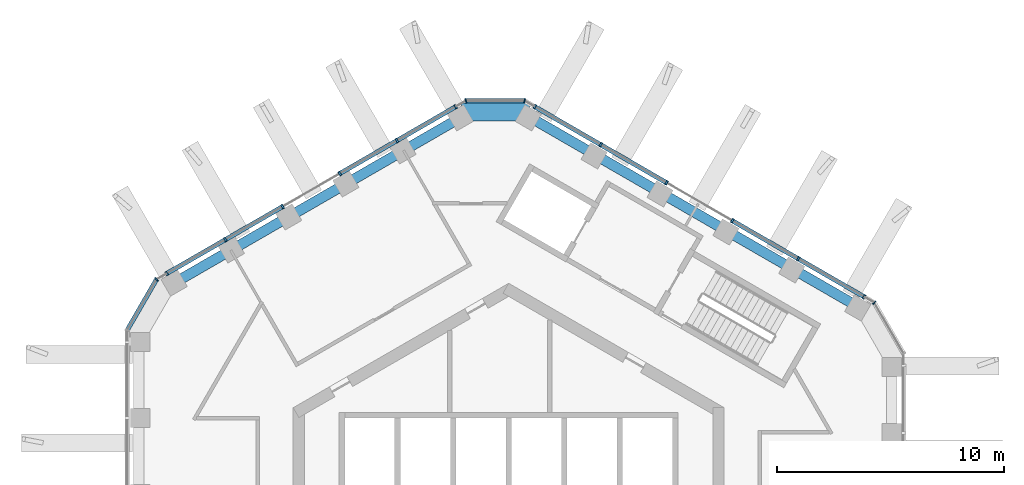
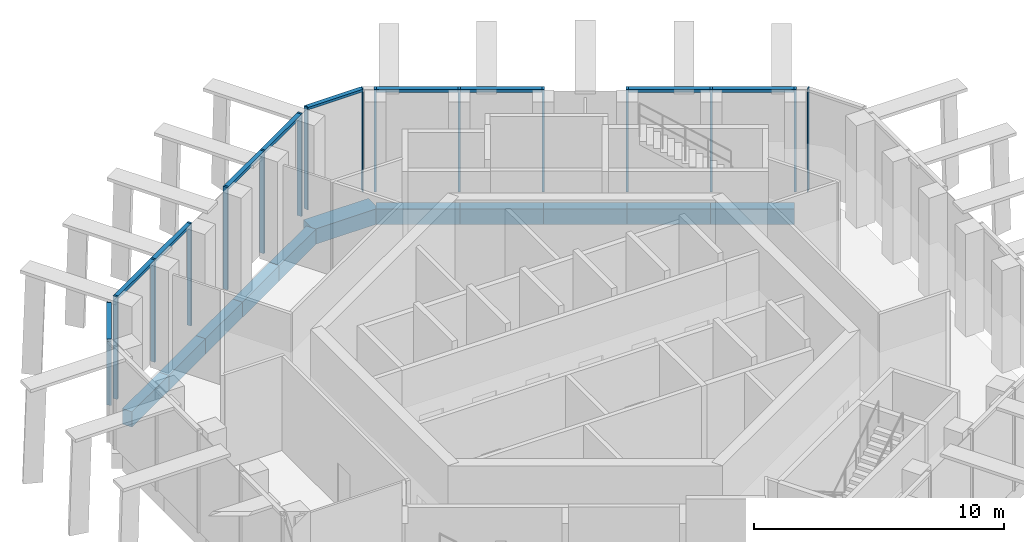
# One storey, part 5 of 17: 22 members, 11 beams, 5 elements without a shape of their own.
"""IFC4 building model written with IfcOpenShell, lengths in metres."""

from ifc_helpers import new_model, si_unit, direction, frame, origin, origin_2d, place, context, subcontext, project, spatial, rectangle, extrude, material, layer, layer_set, material_profile, profile_set, type_object, element, aggregate, save


model = new_model("IFC4")

# Units and contexts
model_context = context("Model", 3, precision=1e-05, world=origin(), true_north=direction((0.0, 1.0)))
body_context = subcontext(model_context, "Body", "Model", "MODEL_VIEW")
ifc_project = project(units=[si_unit("LENGTHUNIT", "METRE"), si_unit("AREAUNIT", "SQUARE_METRE"), si_unit("VOLUMEUNIT", "CUBIC_METRE"), si_unit("PLANEANGLEUNIT", "RADIAN"), si_unit("MASSUNIT", "GRAM", prefix="KILO")], contexts=[model_context])

# Site, building, storey
site_placement = place(None, origin())
site = spatial("IfcSite", under=ifc_project, at=site_placement, CompositionType="ELEMENT")
building_placement = place(site_placement, origin())
building = spatial("IfcBuilding", under=site, at=building_placement, Name="Ayvan Gate Tower", CompositionType="ELEMENT")
storey_placement = place(building_placement, frame((0.0, 0.0, 252.89990234375)))
storey = spatial("IfcBuildingStorey", under=building, at=storey_placement, Name="L68", CompositionType="ELEMENT", Elevation=252.89990234375)

# Beams
ifc_material_1 = material(Name="Concrete C40/50", Category="concrete")
ifc_material_profile_1 = material_profile(ifc_material_1, rectangle(XDim=0.800048828125, YDim=0.75, at=origin_2d()), Name="RC 800x750")
ifc_profile_set_1 = profile_set([ifc_material_profile_1], Name="Concrete C40/50")
beam_type_1 = type_object("IfcBeamType", Name="Corner spandrel beam RC 800x750 C40/50", PredefinedType="BEAM", material=ifc_profile_set_1)
beam_1_placement = place(storey_placement, frame((0.920166015625, 18.51904296875, -0.77490234375), z_axis=(-1.0, 0.0, 0.0), x_axis=(0.0, -1.0, 0.0)))
element("IfcBeam", 1, at=beam_1_placement, inside=storey, type_object=beam_type_1, Name="SB-L68-12", PredefinedType="BEAM", context=body_context, shape_type="SweptSolid", body=[
    extrude(rectangle(XDim=0.800048828125, YDim=0.75, at=origin_2d()), origin(), (0.0, 0.0, 1.0), 3.0),
])
ifc_material_profile_2 = material_profile(ifc_material_1, rectangle(XDim=0.449951171875, YDim=0.75, at=origin_2d()), Name="RC 450x750")
ifc_profile_set_2 = profile_set([ifc_material_profile_2], Name="Concrete C40/50")
beam_type_2 = type_object("IfcBeamType", Name="Spandrel beam RC 450x750 C40/50", PredefinedType="BEAM", material=ifc_profile_set_2)
beam_2_placement = place(storey_placement, frame((15.387451171875, 9.9462890625, -0.77490234375), z_axis=(-0.866017664247, 0.500013405032, 0.0), x_axis=(-0.500013405032, -0.866017664247, 0.0)))
element("IfcBeam", 2, at=beam_2_placement, inside=storey, type_object=beam_type_2, Name="SB-L68-7", PredefinedType="BEAM", context=body_context, shape_type="SweptSolid", body=[
    extrude(rectangle(XDim=0.449951171875, YDim=0.75, at=origin_2d()), origin(), (0.0, 0.0, 1.0), 3.34130859375),
])
beam_3_placement = place(storey_placement, frame((12.493896484375, 11.616943359375, -0.77490234375), z_axis=(-0.866031037473, 0.499990242038, 0.0), x_axis=(-0.499990242038, -0.866031037473, 0.0)))
element("IfcBeam", 3, at=beam_3_placement, inside=storey, type_object=beam_type_2, Name="SB-L68-8", PredefinedType="BEAM", context=body_context, shape_type="SweptSolid", body=[
    extrude(rectangle(XDim=0.449951171875, YDim=0.75, at=origin_2d()), origin(), (0.0, 0.0, 1.0), 3.3408203125),
])
for number, where, z_axis, x_axis, name in (
    (4, (9.6005859375, 13.287353515625, -0.77490234375), (-0.866017664247, 0.500013405032, 0.0), (-0.500013405032, -0.866017664247, 0.0), "SB-L68-9"),
    (5, (6.70703125, 14.9580078125, -0.77490234375), (-0.866017664247, 0.500013405032, 0.0), (-0.500013405032, -0.866017664247, 0.0), "SB-L68-10"),
):
    element("IfcBeam", number, at=place(storey_placement, frame(where, z_axis=z_axis, x_axis=x_axis)), inside=storey, type_object=beam_type_2, Name=name, PredefinedType="BEAM", context=body_context, shape_type="SweptSolid", body=[
        extrude(rectangle(XDim=0.449951171875, YDim=0.75, at=origin_2d()), origin(), (0.0, 0.0, 1.0), 3.34130859375),
    ])
beam_4_placement = place(storey_placement, frame((3.8134765625, 16.628662109375, -0.77490234375), z_axis=(-0.866031037473, 0.499990242038, 0.0), x_axis=(-0.499990242038, -0.866031037473, 0.0)))
element("IfcBeam", 6, at=beam_4_placement, inside=storey, type_object=beam_type_2, Name="SB-L68-11", PredefinedType="BEAM", context=body_context, shape_type="SweptSolid", body=[
    extrude(rectangle(XDim=0.449951171875, YDim=0.75, at=origin_2d()), origin(), (0.0, 0.0, 1.0), 3.3408203125),
])
beam_5_placement = place(storey_placement, frame((-2.079833984375, 18.299072265625, -0.77490234375), z_axis=(-0.866062491445, -0.499935756786, 0.0), x_axis=(0.499935756786, -0.866062491445, 0.0)))
element("IfcBeam", 7, at=beam_5_placement, inside=storey, type_object=beam_type_2, Name="SB-L68-13", PredefinedType="BEAM", context=body_context, shape_type="SweptSolid", body=[
    extrude(rectangle(XDim=0.449951171875, YDim=0.75, at=origin_2d()), origin(), (0.0, 0.0, 1.0), 2.939453125),
])
beam_6_placement = place(storey_placement, frame((-4.62548828125, 16.82958984375, -0.77490234375), z_axis=(-0.866005761797, -0.500034019377, 0.0), x_axis=(0.500034019377, -0.866005761797, 0.0)))
element("IfcBeam", 8, at=beam_6_placement, inside=storey, type_object=beam_type_2, Name="SB-L68-14", PredefinedType="BEAM", context=body_context, shape_type="SweptSolid", body=[
    extrude(rectangle(XDim=0.449951171875, YDim=0.75, at=origin_2d()), origin(), (0.0, 0.0, 1.0), 2.939208984375),
])
beam_7_placement = place(storey_placement, frame((-7.1708984375, 15.35986328125, -0.77490234375), z_axis=(-0.866026527915, -0.499998052944, 0.0), x_axis=(0.499998052944, -0.866026527915, 0.0)))
element("IfcBeam", 9, at=beam_7_placement, inside=storey, type_object=beam_type_2, Name="SB-L68-15", PredefinedType="BEAM", context=body_context, shape_type="SweptSolid", body=[
    extrude(rectangle(XDim=0.449951171875, YDim=0.75, at=origin_2d()), origin(), (0.0, 0.0, 1.0), 2.939453125),
])
beam_8_placement = place(storey_placement, frame((-9.716552734375, 13.89013671875, -0.77490234375), z_axis=(-0.866005761797, -0.500034019377, 0.0), x_axis=(0.500034019377, -0.866005761797, 0.0)))
element("IfcBeam", 10, at=beam_8_placement, inside=storey, type_object=beam_type_2, Name="SB-L68-16", PredefinedType="BEAM", context=body_context, shape_type="SweptSolid", body=[
    extrude(rectangle(XDim=0.449951171875, YDim=0.75, at=origin_2d()), origin(), (0.0, 0.0, 1.0), 2.939208984375),
])
beam_9_placement = place(storey_placement, frame((-12.261962890625, 12.42041015625, -0.77490234375), z_axis=(-0.866062491445, -0.499935756786, 0.0), x_axis=(0.499935756786, -0.866062491445, 0.0)))
element("IfcBeam", 11, at=beam_9_placement, inside=storey, type_object=beam_type_2, Name="SB-L68-17", PredefinedType="BEAM", context=body_context, shape_type="SweptSolid", body=[
    extrude(rectangle(XDim=0.449951171875, YDim=0.75, at=origin_2d()), origin(), (0.0, 0.0, 1.0), 2.939453125),
])

# Curtain wall, members
ifc_material_2 = material(Name="Bronze anodised aluminium", Category="aluminium")
ifc_layer_1 = layer(ifc_material_2, 0.199951171875)
ifc_layer_set_1 = layer_set([ifc_layer_1], Name="Bronze anodised aluminium")
curtain_wall_type_1 = type_object("IfcCurtainWallType", Name="Stick curtain wall CW-5", PredefinedType="NOTDEFINED", material=ifc_layer_set_1)
curtain_wall_1_placement = place(storey_placement, origin())
curtain_wall_1 = element("IfcCurtainWall", 12, at=curtain_wall_1_placement, inside=storey, type_object=curtain_wall_type_1, Name="Stick curtain wall CW-5 L68", PredefinedType="NOTDEFINED")
ifc_material_profile_3 = material_profile(ifc_material_2, rectangle(XDim=0.199951171875, YDim=0.090087890625, at=origin_2d()), Name="Stick curtain wall CW-5 mullion 200 x 90")
ifc_profile_set_3 = profile_set([ifc_material_profile_3], Name="Bronze anodised aluminium")
member_type_1 = type_object("IfcMemberType", Name="Stick curtain wall CW-5 mullion 200 x 90", PredefinedType="MULLION", material=ifc_profile_set_3)
member_1_placement = place(storey_placement, frame((-2.335205078125, 18.758056640625, 0.0), z_axis=(0.0, 0.0, 1.0), x_axis=(-0.5, 0.866025403784, 0.0)))
member_1 = element("IfcMember", 13, at=member_1_placement, type_object=member_type_1, Name="CW-5 mullion 1", PredefinedType="MULLION", context=body_context, shape_type="SweptSolid", body=[
    extrude(rectangle(XDim=0.199951171875, YDim=0.090087890625, at=origin_2d()), origin(), (0.0, 0.0, 1.0), 5.0),
])
member_2_placement = place(storey_placement, frame((-4.921875, 17.2646484375, 0.0), z_axis=(0.0, 0.0, 1.0), x_axis=(-0.5, 0.866025403784, 0.0)))
member_2 = element("IfcMember", 14, at=member_2_placement, type_object=member_type_1, Name="CW-5 mullion 2", PredefinedType="MULLION", context=body_context, shape_type="SweptSolid", body=[
    extrude(rectangle(XDim=0.199951171875, YDim=0.090087890625, at=origin_2d()), origin(), (0.0, 0.0, 1.0), 5.0),
])
member_3_placement = place(storey_placement, frame((-7.444580078125, 15.80810546875, 0.0), z_axis=(0.0, 0.0, 1.0), x_axis=(-0.5, 0.866025403784, 0.0)))
member_3 = element("IfcMember", 15, at=member_3_placement, type_object=member_type_1, Name="CW-5 mullion 3", PredefinedType="MULLION", context=body_context, shape_type="SweptSolid", body=[
    extrude(rectangle(XDim=0.199951171875, YDim=0.090087890625, at=origin_2d()), origin(), (0.0, 0.0, 1.0), 5.0),
])
member_4_placement = place(storey_placement, frame((-9.96728515625, 14.3515625, 0.0), z_axis=(0.0, 0.0, 1.0), x_axis=(-0.5, 0.866025403784, 0.0)))
member_4 = element("IfcMember", 16, at=member_4_placement, type_object=member_type_1, Name="CW-5 mullion 4", PredefinedType="MULLION", context=body_context, shape_type="SweptSolid", body=[
    extrude(rectangle(XDim=0.199951171875, YDim=0.090087890625, at=origin_2d()), origin(), (0.0, 0.0, 1.0), 5.0),
])
member_5_placement = place(storey_placement, frame((-12.489990234375, 12.89501953125, 0.0), z_axis=(0.0, 0.0, 1.0), x_axis=(-0.5, 0.866025403784, 0.0)))
member_5 = element("IfcMember", 17, at=member_5_placement, type_object=member_type_1, Name="CW-5 mullion 5", PredefinedType="MULLION", context=body_context, shape_type="SweptSolid", body=[
    extrude(rectangle(XDim=0.199951171875, YDim=0.090087890625, at=origin_2d()), origin(), (0.0, 0.0, 1.0), 5.0),
])
member_6_placement = place(storey_placement, frame((-15.077392578125, 11.4013671875, 0.0), z_axis=(0.0, 0.0, 1.0), x_axis=(-0.5, 0.866025403784, 0.0)))
member_6 = element("IfcMember", 18, at=member_6_placement, type_object=member_type_1, Name="CW-5 mullion 6", PredefinedType="MULLION", context=body_context, shape_type="SweptSolid", body=[
    extrude(rectangle(XDim=0.199951171875, YDim=0.090087890625, at=origin_2d()), origin(), (0.0, 0.0, 1.0), 5.0),
])

curtain_wall_2_placement = place(storey_placement, origin())
curtain_wall_2 = element("IfcCurtainWall", 19, at=curtain_wall_2_placement, inside=storey, type_object=curtain_wall_type_1, Name="Stick curtain wall CW-5 L68", PredefinedType="NOTDEFINED")
member_7_placement = place(storey_placement, frame((15.6708984375, 10.373291015625, 0.0), z_axis=(0.0, 0.0, 1.0), x_axis=(0.5, 0.866025403784, 0.0)))
member_7 = element("IfcMember", 20, at=member_7_placement, type_object=member_type_1, Name="CW-5 mullion 1", PredefinedType="MULLION", context=body_context, shape_type="SweptSolid", body=[
    extrude(rectangle(XDim=0.199951171875, YDim=0.090087890625, at=origin_2d()), origin(), (0.0, 0.0, 1.0), 5.0),
])
member_8_placement = place(storey_placement, frame((12.76708984375, 12.0498046875, 0.0), z_axis=(0.0, 0.0, 1.0), x_axis=(0.5, 0.866025403784, 0.0)))
member_8 = element("IfcMember", 21, at=member_8_placement, type_object=member_type_1, Name="CW-5 mullion 2", PredefinedType="MULLION", context=body_context, shape_type="SweptSolid", body=[
    extrude(rectangle(XDim=0.199951171875, YDim=0.090087890625, at=origin_2d()), origin(), (0.0, 0.0, 1.0), 5.0),
])
member_9_placement = place(storey_placement, frame((9.861572265625, 13.727294921875, 0.0), z_axis=(0.0, 0.0, 1.0), x_axis=(0.5, 0.866025403784, 0.0)))
member_9 = element("IfcMember", 22, at=member_9_placement, type_object=member_type_1, Name="CW-5 mullion 3", PredefinedType="MULLION", context=body_context, shape_type="SweptSolid", body=[
    extrude(rectangle(XDim=0.199951171875, YDim=0.090087890625, at=origin_2d()), origin(), (0.0, 0.0, 1.0), 5.0),
])
member_10_placement = place(storey_placement, frame((6.95703125, 15.404296875, 0.0), z_axis=(0.0, 0.0, 1.0), x_axis=(0.5, 0.866025403784, 0.0)))
member_10 = element("IfcMember", 23, at=member_10_placement, type_object=member_type_1, Name="CW-5 mullion 4", PredefinedType="MULLION", context=body_context, shape_type="SweptSolid", body=[
    extrude(rectangle(XDim=0.199951171875, YDim=0.090087890625, at=origin_2d()), origin(), (0.0, 0.0, 1.0), 5.0),
])
member_11_placement = place(storey_placement, frame((4.05224609375, 17.081298828125, 0.0), z_axis=(0.0, 0.0, 1.0), x_axis=(0.5, 0.866025403784, 0.0)))
member_11 = element("IfcMember", 24, at=member_11_placement, type_object=member_type_1, Name="CW-5 mullion 5", PredefinedType="MULLION", context=body_context, shape_type="SweptSolid", body=[
    extrude(rectangle(XDim=0.199951171875, YDim=0.090087890625, at=origin_2d()), origin(), (0.0, 0.0, 1.0), 5.0),
])
member_12_placement = place(storey_placement, frame((1.148193359375, 18.758056640625, 0.0), z_axis=(0.0, 0.0, 1.0), x_axis=(0.5, 0.866025403784, 0.0)))
member_12 = element("IfcMember", 25, at=member_12_placement, type_object=member_type_1, Name="CW-5 mullion 6", PredefinedType="MULLION", context=body_context, shape_type="SweptSolid", body=[
    extrude(rectangle(XDim=0.199951171875, YDim=0.090087890625, at=origin_2d()), origin(), (0.0, 0.0, 1.0), 5.0),
])

# Member
ifc_material_profile_4 = material_profile(ifc_material_2, rectangle(XDim=0.199951171875, YDim=0.14990234375, at=origin_2d()), Name="Stick curtain wall CW-5 transom 200 x 150")
ifc_profile_set_4 = profile_set([ifc_material_profile_4], Name="Bronze anodised aluminium")
member_type_2 = type_object("IfcMemberType", Name="Stick curtain wall CW-5 transom 200 x 150", PredefinedType="USERDEFINED", material=ifc_profile_set_4)
member_13_placement = place(storey_placement, frame((-2.335205078125, 18.758056640625, 4.925048828125), z_axis=(-0.866025182435, -0.500000383388, 0.0), x_axis=(0.500000383388, -0.866025182435, 0.0)))
member_13 = element("IfcMember", 26, at=member_13_placement, type_object=member_type_2, Name="CW-5 transom 1", ObjectType="TRANSOM", PredefinedType="USERDEFINED", context=body_context, shape_type="SweptSolid", body=[
    extrude(rectangle(XDim=0.199951171875, YDim=0.14990234375, at=origin_2d()), origin(), (0.0, 0.0, 1.0), 5.85498046875),
])

member_14_placement = place(storey_placement, frame((-10.00634765625, 14.3291015625, 4.925048828125), z_axis=(-0.866027975419, -0.499995545772, 0.0), x_axis=(0.499995545772, -0.866027975419, 0.0)))
member_14 = element("IfcMember", 27, at=member_14_placement, type_object=member_type_2, Name="CW-5 transom 2", ObjectType="TRANSOM", PredefinedType="USERDEFINED", context=body_context, shape_type="SweptSolid", body=[
    extrude(rectangle(XDim=0.199951171875, YDim=0.14990234375, at=origin_2d()), origin(), (0.0, 0.0, 1.0), 5.85546875),
])

aggregate(curtain_wall_1, [member_1, member_2, member_3, member_4, member_5, member_6, member_13, member_14])

member_15_placement = place(storey_placement, frame((15.6708984375, 10.373291015625, 4.925048828125), z_axis=(-0.866020225204, 0.500008969458, 0.0), x_axis=(-0.500008969458, -0.866020225204, 0.0)))
member_15 = element("IfcMember", 28, at=member_15_placement, type_object=member_type_2, Name="CW-5 transom 1", ObjectType="TRANSOM", PredefinedType="USERDEFINED", context=body_context, shape_type="SweptSolid", body=[
    extrude(rectangle(XDim=0.199951171875, YDim=0.14990234375, at=origin_2d()), origin(), (0.0, 0.0, 1.0), 6.6630859375),
])

member_16_placement = place(storey_placement, frame((6.91796875, 15.4267578125, 4.925048828125), z_axis=(-0.866017770014, 0.500013221844, 0.0), x_axis=(-0.500013221844, -0.866017770014, 0.0)))
member_16 = element("IfcMember", 29, at=member_16_placement, type_object=member_type_2, Name="CW-5 transom 2", ObjectType="TRANSOM", PredefinedType="USERDEFINED", context=body_context, shape_type="SweptSolid", body=[
    extrude(rectangle(XDim=0.199951171875, YDim=0.14990234375, at=origin_2d()), origin(), (0.0, 0.0, 1.0), 6.662353515625),
])

aggregate(curtain_wall_2, [member_7, member_8, member_9, member_10, member_11, member_12, member_15, member_16])

# Curtain wall, member
ifc_layer_2 = layer(ifc_material_2, 0.199951171875)
ifc_layer_set_2 = layer_set([ifc_layer_2], Name="Bronze anodised aluminium")
curtain_wall_type_2 = type_object("IfcCurtainWallType", Name="Stick curtain wall CW-6", PredefinedType="NOTDEFINED", material=ifc_layer_set_2)
curtain_wall_3_placement = place(storey_placement, origin())
curtain_wall_3 = element("IfcCurtainWall", 30, at=curtain_wall_3_placement, inside=storey, type_object=curtain_wall_type_2, Name="Stick curtain wall CW-6 L68", PredefinedType="NOTDEFINED")
ifc_material_profile_5 = material_profile(ifc_material_2, rectangle(XDim=0.199951171875, YDim=0.050048828125, at=origin_2d()), Name="Stick curtain wall CW-6 mullion 200 x 50")
ifc_profile_set_5 = profile_set([ifc_material_profile_5], Name="Bronze anodised aluminium")
member_type_3 = type_object("IfcMemberType", Name="Stick curtain wall CW-6 mullion 200 x 50", PredefinedType="MULLION", material=ifc_profile_set_5)
member_17_placement = place(storey_placement, frame((-15.52783203125, 11.141357421875, 0.0), z_axis=(0.0, 0.0, 1.0), x_axis=(-0.707106781187, 0.707106781187, 0.0)))
member_17 = element("IfcMember", 31, at=member_17_placement, type_object=member_type_3, Name="CW-6 mullion 2", PredefinedType="MULLION", context=body_context, shape_type="SweptSolid", body=[
    extrude(rectangle(XDim=0.199951171875, YDim=0.050048828125, at=origin_2d()), origin(), (0.0, 0.0, 1.0), 5.0),
])

curtain_wall_4_placement = place(storey_placement, origin())
curtain_wall_4 = element("IfcCurtainWall", 32, at=curtain_wall_4_placement, inside=storey, type_object=curtain_wall_type_2, Name="Stick curtain wall CW-6 L68", PredefinedType="NOTDEFINED")
member_18_placement = place(storey_placement, frame((16.12109375, 10.11328125, 0.0), z_axis=(0.0, 0.0, 1.0), x_axis=(0.707106781187, 0.707106781187, 0.0)))
member_18 = element("IfcMember", 33, at=member_18_placement, type_object=member_type_3, Name="CW-6 mullion 3", PredefinedType="MULLION", context=body_context, shape_type="SweptSolid", body=[
    extrude(rectangle(XDim=0.199951171875, YDim=0.050048828125, at=origin_2d()), origin(), (0.0, 0.0, 1.0), 5.0),
])
aggregate(curtain_wall_4, [member_18])

# Curtain wall, members
curtain_wall_5_placement = place(storey_placement, origin())
curtain_wall_5 = element("IfcCurtainWall", 34, at=curtain_wall_5_placement, inside=storey, type_object=curtain_wall_type_2, Name="Stick curtain wall CW-6 L68", PredefinedType="NOTDEFINED")
member_19_placement = place(storey_placement, frame((0.69775390625, 19.01806640625, 0.0), z_axis=(0.0, 0.0, 1.0), x_axis=(0.258819045103, 0.965925826289, 0.0)))
member_19 = element("IfcMember", 35, at=member_19_placement, type_object=member_type_3, Name="CW-6 mullion 2", PredefinedType="MULLION", context=body_context, shape_type="SweptSolid", body=[
    extrude(rectangle(XDim=0.199951171875, YDim=0.050048828125, at=origin_2d()), origin(), (0.0, 0.0, 1.0), 5.0),
])
member_20_placement = place(storey_placement, frame((-1.884765625, 19.01806640625, 0.0), z_axis=(0.0, 0.0, 1.0), x_axis=(-0.258819045103, 0.965925826289, 0.0)))
member_20 = element("IfcMember", 36, at=member_20_placement, type_object=member_type_3, Name="CW-6 mullion 3", PredefinedType="MULLION", context=body_context, shape_type="SweptSolid", body=[
    extrude(rectangle(XDim=0.199951171875, YDim=0.050048828125, at=origin_2d()), origin(), (0.0, 0.0, 1.0), 5.0),
])

# Member
ifc_material_profile_6 = material_profile(ifc_material_2, rectangle(XDim=0.199951171875, YDim=0.1201171875, at=origin_2d()), Name="Stick curtain wall CW-6 transom 200 x 120")
ifc_profile_set_6 = profile_set([ifc_material_profile_6], Name="Bronze anodised aluminium")
member_type_4 = type_object("IfcMemberType", Name="Stick curtain wall CW-6 transom 200 x 120", PredefinedType="USERDEFINED", material=ifc_profile_set_6)
member_21_placement = place(storey_placement, frame((-15.540283203125, 11.11962890625, 4.940185546875), z_axis=(-0.500006158363, -0.866021848223, 0.0), x_axis=(0.866021848223, -0.500006158363, 0.0)))
member_21 = element("IfcMember", 37, at=member_21_placement, type_object=member_type_4, Name="CW-6 transom 1", ObjectType="TRANSOM", PredefinedType="USERDEFINED", context=body_context, shape_type="SweptSolid", body=[
    extrude(rectangle(XDim=0.199951171875, YDim=0.1201171875, at=origin_2d()), origin(), (0.0, 0.0, 1.0), 2.53271484375),
])

aggregate(curtain_wall_3, [member_17, member_21])

member_22_placement = place(storey_placement, frame((0.6728515625, 19.01806640625, 4.940185546875), z_axis=(-1.0, 0.0, 0.0), x_axis=(0.0, -1.0, 0.0)))
member_22 = element("IfcMember", 38, at=member_22_placement, type_object=member_type_4, Name="CW-6 transom 2", ObjectType="TRANSOM", PredefinedType="USERDEFINED", context=body_context, shape_type="SweptSolid", body=[
    extrude(rectangle(XDim=0.199951171875, YDim=0.1201171875, at=origin_2d()), origin(), (0.0, 0.0, 1.0), 2.53271484375),
])

aggregate(curtain_wall_5, [member_19, member_20, member_22])

save(model, "model.ifc")
